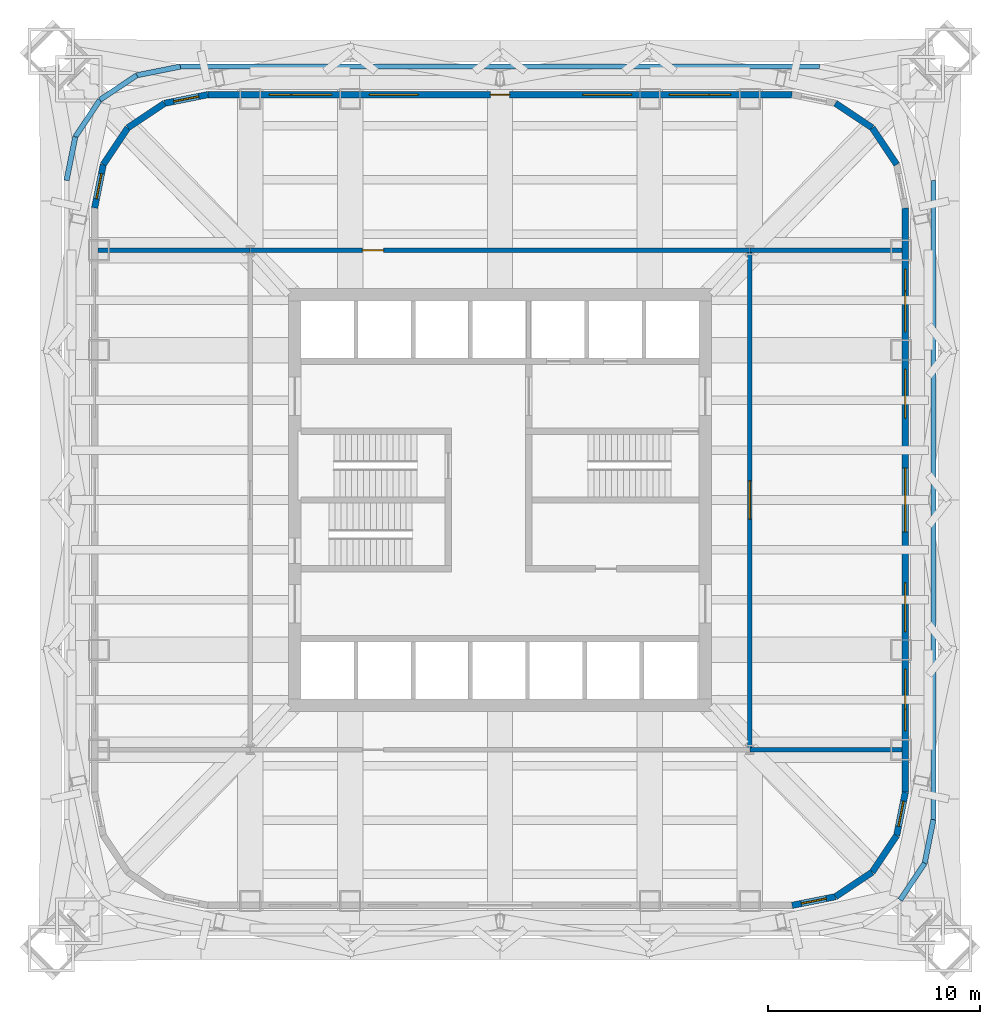
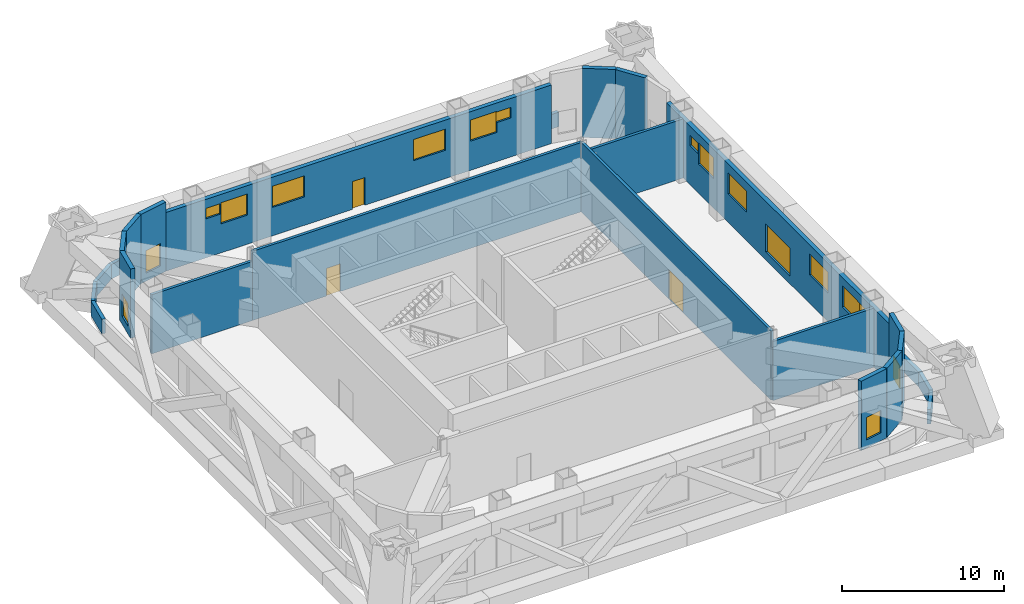
# One storey, part 6 of 9: 25 walls, 17 windows, 3 doors, 20 openings.
"""IFC4 building model written with IfcOpenShell, lengths in metres."""

from ifc_helpers import new_model, si_unit, direction, frame, frame_2d, origin, place, context, subcontext, project, spatial, rectangle, extrude, material, layer, layer_set, type_object, element, fill, save


model = new_model("IFC4")

# Units and contexts
model_context = context("Model", 3, precision=1e-05, world=origin(), true_north=direction((0.0, 1.0)))
body_context = subcontext(model_context, "Body", "Model", "MODEL_VIEW")
ifc_project = project(units=[si_unit("LENGTHUNIT", "METRE"), si_unit("AREAUNIT", "SQUARE_METRE"), si_unit("VOLUMEUNIT", "CUBIC_METRE"), si_unit("PLANEANGLEUNIT", "RADIAN"), si_unit("MASSUNIT", "GRAM", prefix="KILO")], contexts=[model_context])

# Site, building, storey
site_placement = place(None, origin())
site = spatial("IfcSite", under=ifc_project, at=site_placement, CompositionType="ELEMENT")
building_placement = place(site_placement, origin())
building = spatial("IfcBuilding", under=site, at=building_placement, Name="Turquesa Mirador Hotel Tower", CompositionType="ELEMENT")
storey_placement = place(building_placement, frame((0.0, 0.0, 156.39990234375)))
storey = spatial("IfcBuildingStorey", under=building, at=storey_placement, Name="L42", CompositionType="ELEMENT", Elevation=156.39990234375)

# Wall, opening, door
ifc_material_1 = material(Name="Fire-rated gypsum board on steel studs", Category="steel")
ifc_layer_1 = layer(ifc_material_1, 0.199951171875)
ifc_layer_set_1 = layer_set([ifc_layer_1], Name="CORRIDOR WALL 200")
wall_type_1 = type_object("IfcWallType", Name="CORRIDOR WALL 200", PredefinedType="PARTITIONING", material=ifc_layer_set_1)
wall_1_placement = place(storey_placement, frame((43.199951171875, 56.800048828125, 0.0), z_axis=(0.0, 0.0, 1.0), x_axis=(1.0, 0.0, 0.0)))
wall_1 = element("IfcWall", 1, at=wall_1_placement, inside=storey, type_object=wall_type_1, Name="Partition L42 004", PredefinedType="PARTITIONING", context=body_context, shape_type="SweptSolid", body=[
    extrude(rectangle(XDim=23.60009765625, YDim=0.199951171875, at=frame_2d((11.800048828125, 0.0))), origin(), (0.0, 0.0, 1.0), 5.22998046875),
])
opening_1_placement = place(wall_1_placement, frame((5.300048828125, 0.0, 0.0)))
opening_1 = element("IfcOpeningElement", 2, at=opening_1_placement, cuts=wall_1, Name="Opening D05", PredefinedType="OPENING", context=body_context, shape_type="SweptSolid", body=[
    extrude(rectangle(XDim=1.0, YDim=2.10009765625, at=frame_2d((0.5, 1.050048828125))), frame((0.0, 0.10986328125, 0.0), z_axis=(0.0, -1.0, 0.0), x_axis=(1.0, 0.0, 0.0)), (0.0, 0.0, 1.0), 0.219970703125),
])
ifc_material_2 = material(Name="Steel fire door", Category="steel")
door_type_1 = type_object("IfcDoorType", Name="DOOR 1000X2100 SERVICE", OperationType="SINGLE_SWING_LEFT", PredefinedType="DOOR", material=ifc_material_2)
door_1_placement = place(opening_1_placement, origin())
door_1 = element("IfcDoor", 3, at=door_1_placement, inside=storey, type_object=door_type_1, Name="Door L42-01", OperationType="SINGLE_SWING_LEFT", OverallHeight=2.10009765625, OverallWidth=1.0, PredefinedType="DOOR", context=body_context, shape_type="SweptSolid", body=[
    extrude(rectangle(XDim=1.0, YDim=2.10009765625, at=frame_2d((0.5, 1.050048828125))), frame((0.0, 0.02490234375, 0.0), z_axis=(0.0, -1.0, 0.0), x_axis=(1.0, 0.0, 0.0)), (0.0, 0.0, 1.0), 0.050048828125),
])
fill(opening_1, door_1)

wall_2_placement = place(storey_placement, frame((66.800048828125, 33.199951171875, 0.0), z_axis=(0.0, 0.0, 1.0), x_axis=(0.0, 1.0, 0.0)))
wall_2 = element("IfcWall", 4, at=wall_2_placement, inside=storey, type_object=wall_type_1, Name="Partition L42 008", PredefinedType="PARTITIONING", context=body_context, shape_type="SweptSolid", body=[
    extrude(rectangle(XDim=23.60009765625, YDim=0.199951171875, at=frame_2d((11.800048828125, 0.0))), origin(), (0.0, 0.0, 1.0), 5.22998046875),
])
opening_2_placement = place(wall_2_placement, frame((10.89990234375, 0.0, 0.0)))
opening_2 = element("IfcOpeningElement", 5, at=opening_2_placement, cuts=wall_2, Name="Opening D04", PredefinedType="OPENING", context=body_context, shape_type="SweptSolid", body=[
    extrude(rectangle(XDim=1.800048828125, YDim=2.199951171875, at=frame_2d((0.89990234375, 1.10009765625))), frame((0.0, 0.10986328125, 0.0), z_axis=(0.0, -1.0, 0.0), x_axis=(1.0, 0.0, 0.0)), (0.0, 0.0, 1.0), 0.219970703125),
])
ifc_material_3 = material(Name="Steel fire door pair", Category="steel")
door_type_2 = type_object("IfcDoorType", Name="DOOR 1800X2200 PAIR", OperationType="DOUBLE_DOOR_SINGLE_SWING", PredefinedType="DOOR", material=ifc_material_3)
door_2_placement = place(opening_2_placement, origin())
door_2 = element("IfcDoor", 6, at=door_2_placement, inside=storey, type_object=door_type_2, Name="Door L42-03", OperationType="DOUBLE_DOOR_SINGLE_SWING", OverallHeight=2.199951171875, OverallWidth=1.800048828125, PredefinedType="DOOR", context=body_context, shape_type="SweptSolid", body=[
    extrude(rectangle(XDim=1.800048828125, YDim=2.199951171875, at=frame_2d((0.89990234375, 1.10009765625))), frame((0.0, 0.02490234375, 0.0), z_axis=(0.0, -1.0, 0.0), x_axis=(1.0, 0.0, 0.0)), (0.0, 0.0, 1.0), 0.050048828125),
])
fill(opening_2, door_2)

# Walls
ifc_material_4 = material(Name="Fire-rated gypsum board on steel studs", Category="steel")
ifc_layer_2 = layer(ifc_material_4, 0.199951171875)
ifc_layer_set_2 = layer_set([ifc_layer_2], Name="FIRE PARTITION 200")
wall_type_2 = type_object("IfcWallType", Name="FIRE PARTITION 200", PredefinedType="PARTITIONING", material=ifc_layer_set_2)
for number, where, z_axis, x_axis, name in (
    (7, (66.800048828125, 33.199951171875, 0.0), (0.0, 0.0, 1.0), (1.0, 0.0, 0.0), "Partition L42 003"),
    (8, (36.0, 56.800048828125, 0.0), (0.0, 0.0, 1.0), (1.0, 0.0, 0.0), "Partition L42 005"),
    (9, (66.800048828125, 56.800048828125, 0.0), (0.0, 0.0, 1.0), (1.0, 0.0, 0.0), "Partition L42 006"),
):
    element("IfcWall", number, at=place(storey_placement, frame(where, z_axis=z_axis, x_axis=x_axis)), inside=storey, type_object=wall_type_2, Name=name, PredefinedType="PARTITIONING", context=body_context, shape_type="SweptSolid", body=[
        extrude(rectangle(XDim=7.199951171875, YDim=0.199951171875, at=frame_2d((3.60009765625, 0.0))), origin(), (0.0, 0.0, 1.0), 4.47314453125),
    ])

# Wall, opening, window
ifc_material_5 = material(Name="Limestone cladding on concrete block", Category="masonry")
ifc_layer_3 = layer(ifc_material_5, 0.300048828125)
ifc_layer_set_3 = layer_set([ifc_layer_3], Name="LOUVRE WALL 300 STONE")
wall_type_3 = type_object("IfcWallType", Name="LOUVRE WALL 300 STONE", PredefinedType="SOLIDWALL", material=ifc_layer_set_3)
wall_3_placement = place(storey_placement, frame((68.800048828125, 25.85009765625, 0.0), z_axis=(0.0, 0.0, 1.0), x_axis=(0.980787050784, 0.195081421501, 0.0)))
wall_3 = element("IfcWall", 10, at=wall_3_placement, inside=storey, type_object=wall_type_3, Name="Facade wall L42 00", PredefinedType="SOLIDWALL", context=body_context, shape_type="SweptSolid", body=[
    extrude(rectangle(XDim=2.08740234375, YDim=0.300048828125, at=frame_2d((1.043701171875, 0.0))), origin(), (0.0, 0.0, 1.0), 5.22998046875),
])
opening_3_placement = place(wall_3_placement, frame((0.443603515625, 0.0, 0.60009765625)))
opening_3 = element("IfcOpeningElement", 11, at=opening_3_placement, cuts=wall_3, Name="Opening LV8", PredefinedType="OPENING", context=body_context, shape_type="SweptSolid", body=[
    extrude(rectangle(XDim=1.199951171875, YDim=1.699951171875, at=frame_2d((0.60009765625, 0.85009765625))), frame((0.0, 0.159912109375, 0.0), z_axis=(0.0, -1.0, 0.0), x_axis=(1.0, 0.0, 0.0)), (0.0, 0.0, 1.0), 0.320068359375),
])
ifc_material_6 = material(Name="Aluminium extrusion", Category="aluminium")
window_type_1 = type_object("IfcWindowType", Name="PLANT LOUVRE 1200X1700", PartitioningType="SINGLE_PANEL", PredefinedType="USERDEFINED", material=ifc_material_6)
window_1_placement = place(opening_3_placement, origin())
window_1 = element("IfcWindow", 12, at=window_1_placement, inside=storey, type_object=window_type_1, Name="Window L42", ObjectType="LOUVRE", OverallHeight=1.699951171875, OverallWidth=1.199951171875, PartitioningType="SINGLE_PANEL", PredefinedType="USERDEFINED", context=body_context, shape_type="SweptSolid", body=[
    extrude(rectangle(XDim=1.199951171875, YDim=1.699951171875, at=frame_2d((0.60009765625, 0.85009765625))), frame((0.0, 0.030029296875, 0.0), z_axis=(0.0, -1.0, 0.0), x_axis=(1.0, 0.0, 0.0)), (0.0, 0.0, 1.0), 0.06005859375),
])
fill(opening_3, window_1)

# Walls
for number, where, z_axis, x_axis, name in (
    (13, (70.847412109375, 26.25732421875, 0.0), (0.0, 0.0, 1.0), (0.831474039234, 0.555563607591, 0.0), "Facade wall L42 01"),
    (14, (72.5830078125, 27.4169921875, 0.0), (0.0, 0.0, 1.0), (0.555563607591, 0.831474039234, 0.0), "Facade wall L42 02"),
):
    element("IfcWall", number, at=place(storey_placement, frame(where, z_axis=z_axis, x_axis=x_axis)), inside=storey, type_object=wall_type_3, Name=name, PredefinedType="SOLIDWALL", context=body_context, shape_type="SweptSolid", body=[
        extrude(rectangle(XDim=2.08740234375, YDim=0.300048828125, at=frame_2d((1.043701171875, 0.0))), origin(), (0.0, 0.0, 1.0), 5.22998046875),
    ])

# Wall, opening, window
wall_4_placement = place(storey_placement, frame((73.74267578125, 29.152587890625, 0.0), z_axis=(0.0, 0.0, 1.0), x_axis=(0.195081421501, 0.980787050784, 0.0)))
wall_4 = element("IfcWall", 15, at=wall_4_placement, inside=storey, type_object=wall_type_3, Name="Facade wall L42 03", PredefinedType="SOLIDWALL", context=body_context, shape_type="SweptSolid", body=[
    extrude(rectangle(XDim=2.08740234375, YDim=0.300048828125, at=frame_2d((1.043701171875, 0.0))), origin(), (0.0, 0.0, 1.0), 5.22998046875),
])
opening_4_placement = place(wall_4_placement, frame((0.443603515625, 0.0, 0.60009765625)))
opening_4 = element("IfcOpeningElement", 16, at=opening_4_placement, cuts=wall_4, Name="Opening LV8", PredefinedType="OPENING", context=body_context, shape_type="SweptSolid", body=[
    extrude(rectangle(XDim=1.199951171875, YDim=1.699951171875, at=frame_2d((0.60009765625, 0.85009765625))), frame((0.0, 0.159912109375, 0.0), z_axis=(0.0, -1.0, 0.0), x_axis=(1.0, 0.0, 0.0)), (0.0, 0.0, 1.0), 0.320068359375),
])
window_2_placement = place(opening_4_placement, origin())
window_2 = element("IfcWindow", 17, at=window_2_placement, inside=storey, type_object=window_type_1, Name="Window L42", ObjectType="LOUVRE", OverallHeight=1.699951171875, OverallWidth=1.199951171875, PartitioningType="SINGLE_PANEL", PredefinedType="USERDEFINED", context=body_context, shape_type="SweptSolid", body=[
    extrude(rectangle(XDim=1.199951171875, YDim=1.699951171875, at=frame_2d((0.60009765625, 0.85009765625))), frame((0.0, 0.030029296875, 0.0), z_axis=(0.0, -1.0, 0.0), x_axis=(1.0, 0.0, 0.0)), (0.0, 0.0, 1.0), 0.06005859375),
])
fill(opening_4, window_2)

# Wall, openings, windows
wall_5_placement = place(storey_placement, frame((74.14990234375, 31.199951171875, 0.0), z_axis=(0.0, 0.0, 1.0), x_axis=(0.0, 1.0, 0.0)))
wall_5 = element("IfcWall", 18, at=wall_5_placement, inside=storey, type_object=wall_type_3, Name="Facade wall L42 04", PredefinedType="SOLIDWALL", context=body_context, shape_type="SweptSolid", body=[
    extrude(rectangle(XDim=27.60009765625, YDim=0.300048828125, at=frame_2d((13.800048828125, 0.0))), origin(), (0.0, 0.0, 1.0), 4.43017578125),
])
opening_5_placement = place(wall_5_placement, frame((3.909912109375, 0.0, 2.199951171875)))
opening_5 = element("IfcOpeningElement", 19, at=opening_5_placement, cuts=wall_5, Name="Opening LV11", PredefinedType="OPENING", context=body_context, shape_type="SweptSolid", body=[
    extrude(rectangle(XDim=1.89990234375, YDim=1.60009765625, at=frame_2d((0.949951171875, 0.800048828125))), frame((0.0, 0.159912109375, 0.0), z_axis=(0.0, -1.0, 0.0), x_axis=(1.0, 0.0, 0.0)), (0.0, 0.0, 1.0), 0.320068359375),
])
opening_6_placement = place(wall_5_placement, frame((7.580078125, 0.0, 2.14990234375)))
opening_6 = element("IfcOpeningElement", 20, at=opening_6_placement, cuts=wall_5, Name="Opening LV13", PredefinedType="OPENING", context=body_context, shape_type="SweptSolid", body=[
    extrude(rectangle(XDim=2.300048828125, YDim=1.60009765625, at=frame_2d((1.14990234375, 0.800048828125))), frame((0.0, 0.159912109375, 0.0), z_axis=(0.0, -1.0, 0.0), x_axis=(1.0, 0.0, 0.0)), (0.0, 0.0, 1.0), 0.320068359375),
])
opening_7_placement = place(wall_5_placement, frame((12.300048828125, 0.0, 0.60009765625)))
opening_7 = element("IfcOpeningElement", 21, at=opening_7_placement, cuts=wall_5, Name="Opening LV17", PredefinedType="OPENING", context=body_context, shape_type="SweptSolid", body=[
    extrude(rectangle(XDim=3.0, YDim=2.10009765625, at=frame_2d((1.5, 1.050048828125))), frame((0.0, 0.159912109375, 0.0), z_axis=(0.0, -1.0, 0.0), x_axis=(1.0, 0.0, 0.0)), (0.0, 0.0, 1.0), 0.320068359375),
])
opening_8_placement = place(wall_5_placement, frame((17.669921875, 0.0, 2.14990234375)))
opening_8 = element("IfcOpeningElement", 22, at=opening_8_placement, cuts=wall_5, Name="Opening LV13", PredefinedType="OPENING", context=body_context, shape_type="SweptSolid", body=[
    extrude(rectangle(XDim=2.300048828125, YDim=1.60009765625, at=frame_2d((1.14990234375, 0.800048828125))), frame((0.0, 0.159912109375, 0.0), z_axis=(0.0, -1.0, 0.0), x_axis=(1.0, 0.0, 0.0)), (0.0, 0.0, 1.0), 0.320068359375),
])
opening_9_placement = place(wall_5_placement, frame((21.739990234375, 0.0, 2.199951171875)))
opening_9 = element("IfcOpeningElement", 23, at=opening_9_placement, cuts=wall_5, Name="Opening LV11", PredefinedType="OPENING", context=body_context, shape_type="SweptSolid", body=[
    extrude(rectangle(XDim=1.89990234375, YDim=1.60009765625, at=frame_2d((0.949951171875, 0.800048828125))), frame((0.0, 0.159912109375, 0.0), z_axis=(0.0, -1.0, 0.0), x_axis=(1.0, 0.0, 0.0)), (0.0, 0.0, 1.0), 0.320068359375),
])
opening_10_placement = place(wall_5_placement, frame((2.909912109375, 0.0, 2.949951171875)))
opening_10 = element("IfcOpeningElement", 24, at=opening_10_placement, cuts=wall_5, Name="Opening LV4", PredefinedType="OPENING", context=body_context, shape_type="SweptSolid", body=[
    extrude(rectangle(XDim=1.0, YDim=0.800048828125, at=frame_2d((0.5, 0.39990234375))), frame((0.0, 0.159912109375, 0.0), z_axis=(0.0, -1.0, 0.0), x_axis=(1.0, 0.0, 0.0)), (0.0, 0.0, 1.0), 0.320068359375),
])
opening_11_placement = place(wall_5_placement, frame((23.68994140625, 0.0, 2.949951171875)))
opening_11 = element("IfcOpeningElement", 25, at=opening_11_placement, cuts=wall_5, Name="Opening LV4", PredefinedType="OPENING", context=body_context, shape_type="SweptSolid", body=[
    extrude(rectangle(XDim=1.0, YDim=0.800048828125, at=frame_2d((0.5, 0.39990234375))), frame((0.0, 0.159912109375, 0.0), z_axis=(0.0, -1.0, 0.0), x_axis=(1.0, 0.0, 0.0)), (0.0, 0.0, 1.0), 0.320068359375),
])
ifc_material_7 = material(Name="Aluminium extrusion", Category="aluminium")
window_type_2 = type_object("IfcWindowType", Name="PLANT LOUVRE 1000X800", PartitioningType="SINGLE_PANEL", PredefinedType="USERDEFINED", material=ifc_material_7)
window_3_placement = place(opening_10_placement, origin())
window_3 = element("IfcWindow", 26, at=window_3_placement, inside=storey, type_object=window_type_2, Name="Window L42", ObjectType="LOUVRE", OverallHeight=0.800048828125, OverallWidth=1.0, PartitioningType="SINGLE_PANEL", PredefinedType="USERDEFINED", context=body_context, shape_type="SweptSolid", body=[
    extrude(rectangle(XDim=1.0, YDim=0.800048828125, at=frame_2d((0.5, 0.39990234375))), frame((0.0, 0.030029296875, 0.0), z_axis=(0.0, -1.0, 0.0), x_axis=(1.0, 0.0, 0.0)), (0.0, 0.0, 1.0), 0.06005859375),
])
fill(opening_10, window_3)
window_4_placement = place(opening_11_placement, origin())
window_4 = element("IfcWindow", 27, at=window_4_placement, inside=storey, type_object=window_type_2, Name="Window L42", ObjectType="LOUVRE", OverallHeight=0.800048828125, OverallWidth=1.0, PartitioningType="SINGLE_PANEL", PredefinedType="USERDEFINED", context=body_context, shape_type="SweptSolid", body=[
    extrude(rectangle(XDim=1.0, YDim=0.800048828125, at=frame_2d((0.5, 0.39990234375))), frame((0.0, 0.030029296875, 0.0), z_axis=(0.0, -1.0, 0.0), x_axis=(1.0, 0.0, 0.0)), (0.0, 0.0, 1.0), 0.06005859375),
])
fill(opening_11, window_4)
ifc_material_8 = material(Name="Aluminium extrusion", Category="aluminium")
window_type_3 = type_object("IfcWindowType", Name="PLANT LOUVRE 1900X1600", PartitioningType="SINGLE_PANEL", PredefinedType="USERDEFINED", material=ifc_material_8)
window_5_placement = place(opening_5_placement, origin())
window_5 = element("IfcWindow", 28, at=window_5_placement, inside=storey, type_object=window_type_3, Name="Window L42", ObjectType="LOUVRE", OverallHeight=1.60009765625, OverallWidth=1.89990234375, PartitioningType="SINGLE_PANEL", PredefinedType="USERDEFINED", context=body_context, shape_type="SweptSolid", body=[
    extrude(rectangle(XDim=1.89990234375, YDim=1.60009765625, at=frame_2d((0.949951171875, 0.800048828125))), frame((0.0, 0.030029296875, 0.0), z_axis=(0.0, -1.0, 0.0), x_axis=(1.0, 0.0, 0.0)), (0.0, 0.0, 1.0), 0.06005859375),
])
fill(opening_5, window_5)
window_6_placement = place(opening_9_placement, origin())
window_6 = element("IfcWindow", 29, at=window_6_placement, inside=storey, type_object=window_type_3, Name="Window L42", ObjectType="LOUVRE", OverallHeight=1.60009765625, OverallWidth=1.89990234375, PartitioningType="SINGLE_PANEL", PredefinedType="USERDEFINED", context=body_context, shape_type="SweptSolid", body=[
    extrude(rectangle(XDim=1.89990234375, YDim=1.60009765625, at=frame_2d((0.949951171875, 0.800048828125))), frame((0.0, 0.030029296875, 0.0), z_axis=(0.0, -1.0, 0.0), x_axis=(1.0, 0.0, 0.0)), (0.0, 0.0, 1.0), 0.06005859375),
])
fill(opening_9, window_6)
ifc_material_9 = material(Name="Aluminium extrusion", Category="aluminium")
window_type_4 = type_object("IfcWindowType", Name="PLANT LOUVRE 2300X1600", PartitioningType="SINGLE_PANEL", PredefinedType="USERDEFINED", material=ifc_material_9)
window_7_placement = place(opening_6_placement, origin())
window_7 = element("IfcWindow", 30, at=window_7_placement, inside=storey, type_object=window_type_4, Name="Window L42", ObjectType="LOUVRE", OverallHeight=1.60009765625, OverallWidth=2.300048828125, PartitioningType="SINGLE_PANEL", PredefinedType="USERDEFINED", context=body_context, shape_type="SweptSolid", body=[
    extrude(rectangle(XDim=2.300048828125, YDim=1.60009765625, at=frame_2d((1.14990234375, 0.800048828125))), frame((0.0, 0.030029296875, 0.0), z_axis=(0.0, -1.0, 0.0), x_axis=(1.0, 0.0, 0.0)), (0.0, 0.0, 1.0), 0.06005859375),
])
fill(opening_6, window_7)
window_8_placement = place(opening_8_placement, origin())
window_8 = element("IfcWindow", 31, at=window_8_placement, inside=storey, type_object=window_type_4, Name="Window L42", ObjectType="LOUVRE", OverallHeight=1.60009765625, OverallWidth=2.300048828125, PartitioningType="SINGLE_PANEL", PredefinedType="USERDEFINED", context=body_context, shape_type="SweptSolid", body=[
    extrude(rectangle(XDim=2.300048828125, YDim=1.60009765625, at=frame_2d((1.14990234375, 0.800048828125))), frame((0.0, 0.030029296875, 0.0), z_axis=(0.0, -1.0, 0.0), x_axis=(1.0, 0.0, 0.0)), (0.0, 0.0, 1.0), 0.06005859375),
])
fill(opening_8, window_8)
ifc_material_10 = material(Name="Aluminium extrusion", Category="aluminium")
window_type_5 = type_object("IfcWindowType", Name="PLANT LOUVRE 3000X2100", PartitioningType="SINGLE_PANEL", PredefinedType="USERDEFINED", material=ifc_material_10)
window_9_placement = place(opening_7_placement, origin())
window_9 = element("IfcWindow", 32, at=window_9_placement, inside=storey, type_object=window_type_5, Name="Window L42", ObjectType="LOUVRE", OverallHeight=2.10009765625, OverallWidth=3.0, PartitioningType="SINGLE_PANEL", PredefinedType="USERDEFINED", context=body_context, shape_type="SweptSolid", body=[
    extrude(rectangle(XDim=3.0, YDim=2.10009765625, at=frame_2d((1.5, 1.050048828125))), frame((0.0, 0.030029296875, 0.0), z_axis=(0.0, -1.0, 0.0), x_axis=(1.0, 0.0, 0.0)), (0.0, 0.0, 1.0), 0.06005859375),
])
fill(opening_7, window_9)

# Walls
for number, where, z_axis, x_axis, name in (
    (33, (73.74267578125, 60.847412109375, 0.0), (0.0, 0.0, 1.0), (-0.555563607591, 0.831474039234, 0.0), "Facade wall L42 06"),
    (34, (72.5830078125, 62.5830078125, 0.0), (0.0, 0.0, 1.0), (-0.831474039234, 0.555563607591, 0.0), "Facade wall L42 07"),
):
    element("IfcWall", number, at=place(storey_placement, frame(where, z_axis=z_axis, x_axis=x_axis)), inside=storey, type_object=wall_type_3, Name=name, PredefinedType="SOLIDWALL", context=body_context, shape_type="SweptSolid", body=[
        extrude(rectangle(XDim=2.08740234375, YDim=0.300048828125, at=frame_2d((1.043701171875, 0.0))), origin(), (0.0, 0.0, 1.0), 5.22998046875),
    ])

# Wall, openings, windows, door
wall_6_placement = place(storey_placement, frame((68.800048828125, 64.14990234375, 0.0), z_axis=(0.0, 0.0, 1.0), x_axis=(-1.0, 0.0, 0.0)))
wall_6 = element("IfcWall", 35, at=wall_6_placement, inside=storey, type_object=wall_type_3, Name="Facade wall L42 09", PredefinedType="SOLIDWALL", context=body_context, shape_type="SweptSolid", body=[
    extrude(rectangle(XDim=27.60009765625, YDim=0.300048828125, at=frame_2d((13.800048828125, 0.0))), origin(), (0.0, 0.0, 1.0), 4.43017578125),
])
opening_12_placement = place(wall_6_placement, frame((3.909912109375, 0.0, 2.199951171875)))
opening_12 = element("IfcOpeningElement", 36, at=opening_12_placement, cuts=wall_6, Name="Opening LV11", PredefinedType="OPENING", context=body_context, shape_type="SweptSolid", body=[
    extrude(rectangle(XDim=1.89990234375, YDim=1.60009765625, at=frame_2d((0.949951171875, 0.800048828125))), frame((0.0, 0.159912109375, 0.0), z_axis=(0.0, -1.0, 0.0), x_axis=(1.0, 0.0, 0.0)), (0.0, 0.0, 1.0), 0.320068359375),
])
opening_13_placement = place(wall_6_placement, frame((7.580078125, 0.0, 2.14990234375)))
opening_13 = element("IfcOpeningElement", 37, at=opening_13_placement, cuts=wall_6, Name="Opening LV13", PredefinedType="OPENING", context=body_context, shape_type="SweptSolid", body=[
    extrude(rectangle(XDim=2.300048828125, YDim=1.60009765625, at=frame_2d((1.14990234375, 0.800048828125))), frame((0.0, 0.159912109375, 0.0), z_axis=(0.0, -1.0, 0.0), x_axis=(1.0, 0.0, 0.0)), (0.0, 0.0, 1.0), 0.320068359375),
])
opening_14_placement = place(wall_6_placement, frame((13.35009765625, 0.0, 0.0)))
opening_14 = element("IfcOpeningElement", 38, at=opening_14_placement, cuts=wall_6, Name="Opening D21", PredefinedType="OPENING", context=body_context, shape_type="SweptSolid", body=[
    extrude(rectangle(XDim=0.89990234375, YDim=2.10009765625, at=frame_2d((0.449951171875, 1.050048828125))), frame((0.0, 0.159912109375, 0.0), z_axis=(0.0, -1.0, 0.0), x_axis=(1.0, 0.0, 0.0)), (0.0, 0.0, 1.0), 0.320068359375),
])
opening_15_placement = place(wall_6_placement, frame((17.669921875, 0.0, 2.14990234375)))
opening_15 = element("IfcOpeningElement", 39, at=opening_15_placement, cuts=wall_6, Name="Opening LV13", PredefinedType="OPENING", context=body_context, shape_type="SweptSolid", body=[
    extrude(rectangle(XDim=2.300048828125, YDim=1.60009765625, at=frame_2d((1.14990234375, 0.800048828125))), frame((0.0, 0.159912109375, 0.0), z_axis=(0.0, -1.0, 0.0), x_axis=(1.0, 0.0, 0.0)), (0.0, 0.0, 1.0), 0.320068359375),
])
opening_16_placement = place(wall_6_placement, frame((21.739990234375, 0.0, 2.199951171875)))
opening_16 = element("IfcOpeningElement", 40, at=opening_16_placement, cuts=wall_6, Name="Opening LV11", PredefinedType="OPENING", context=body_context, shape_type="SweptSolid", body=[
    extrude(rectangle(XDim=1.89990234375, YDim=1.60009765625, at=frame_2d((0.949951171875, 0.800048828125))), frame((0.0, 0.159912109375, 0.0), z_axis=(0.0, -1.0, 0.0), x_axis=(1.0, 0.0, 0.0)), (0.0, 0.0, 1.0), 0.320068359375),
])
opening_17_placement = place(wall_6_placement, frame((2.909912109375, 0.0, 2.949951171875)))
opening_17 = element("IfcOpeningElement", 41, at=opening_17_placement, cuts=wall_6, Name="Opening LV4", PredefinedType="OPENING", context=body_context, shape_type="SweptSolid", body=[
    extrude(rectangle(XDim=1.0, YDim=0.800048828125, at=frame_2d((0.5, 0.39990234375))), frame((0.0, 0.159912109375, 0.0), z_axis=(0.0, -1.0, 0.0), x_axis=(1.0, 0.0, 0.0)), (0.0, 0.0, 1.0), 0.320068359375),
])
opening_18_placement = place(wall_6_placement, frame((23.68994140625, 0.0, 2.949951171875)))
opening_18 = element("IfcOpeningElement", 42, at=opening_18_placement, cuts=wall_6, Name="Opening LV4", PredefinedType="OPENING", context=body_context, shape_type="SweptSolid", body=[
    extrude(rectangle(XDim=1.0, YDim=0.800048828125, at=frame_2d((0.5, 0.39990234375))), frame((0.0, 0.159912109375, 0.0), z_axis=(0.0, -1.0, 0.0), x_axis=(1.0, 0.0, 0.0)), (0.0, 0.0, 1.0), 0.320068359375),
])
window_10_placement = place(opening_17_placement, origin())
window_10 = element("IfcWindow", 43, at=window_10_placement, inside=storey, type_object=window_type_2, Name="Window L42", ObjectType="LOUVRE", OverallHeight=0.800048828125, OverallWidth=1.0, PartitioningType="SINGLE_PANEL", PredefinedType="USERDEFINED", context=body_context, shape_type="SweptSolid", body=[
    extrude(rectangle(XDim=1.0, YDim=0.800048828125, at=frame_2d((0.5, 0.39990234375))), frame((0.0, 0.030029296875, 0.0), z_axis=(0.0, -1.0, 0.0), x_axis=(1.0, 0.0, 0.0)), (0.0, 0.0, 1.0), 0.06005859375),
])
fill(opening_17, window_10)
window_11_placement = place(opening_18_placement, origin())
window_11 = element("IfcWindow", 44, at=window_11_placement, inside=storey, type_object=window_type_2, Name="Window L42", ObjectType="LOUVRE", OverallHeight=0.800048828125, OverallWidth=1.0, PartitioningType="SINGLE_PANEL", PredefinedType="USERDEFINED", context=body_context, shape_type="SweptSolid", body=[
    extrude(rectangle(XDim=1.0, YDim=0.800048828125, at=frame_2d((0.5, 0.39990234375))), frame((0.0, 0.030029296875, 0.0), z_axis=(0.0, -1.0, 0.0), x_axis=(1.0, 0.0, 0.0)), (0.0, 0.0, 1.0), 0.06005859375),
])
fill(opening_18, window_11)
window_12_placement = place(opening_12_placement, origin())
window_12 = element("IfcWindow", 45, at=window_12_placement, inside=storey, type_object=window_type_3, Name="Window L42", ObjectType="LOUVRE", OverallHeight=1.60009765625, OverallWidth=1.89990234375, PartitioningType="SINGLE_PANEL", PredefinedType="USERDEFINED", context=body_context, shape_type="SweptSolid", body=[
    extrude(rectangle(XDim=1.89990234375, YDim=1.60009765625, at=frame_2d((0.949951171875, 0.800048828125))), frame((0.0, 0.030029296875, 0.0), z_axis=(0.0, -1.0, 0.0), x_axis=(1.0, 0.0, 0.0)), (0.0, 0.0, 1.0), 0.06005859375),
])
fill(opening_12, window_12)
window_13_placement = place(opening_16_placement, origin())
window_13 = element("IfcWindow", 46, at=window_13_placement, inside=storey, type_object=window_type_3, Name="Window L42", ObjectType="LOUVRE", OverallHeight=1.60009765625, OverallWidth=1.89990234375, PartitioningType="SINGLE_PANEL", PredefinedType="USERDEFINED", context=body_context, shape_type="SweptSolid", body=[
    extrude(rectangle(XDim=1.89990234375, YDim=1.60009765625, at=frame_2d((0.949951171875, 0.800048828125))), frame((0.0, 0.030029296875, 0.0), z_axis=(0.0, -1.0, 0.0), x_axis=(1.0, 0.0, 0.0)), (0.0, 0.0, 1.0), 0.06005859375),
])
fill(opening_16, window_13)
window_14_placement = place(opening_13_placement, origin())
window_14 = element("IfcWindow", 47, at=window_14_placement, inside=storey, type_object=window_type_4, Name="Window L42", ObjectType="LOUVRE", OverallHeight=1.60009765625, OverallWidth=2.300048828125, PartitioningType="SINGLE_PANEL", PredefinedType="USERDEFINED", context=body_context, shape_type="SweptSolid", body=[
    extrude(rectangle(XDim=2.300048828125, YDim=1.60009765625, at=frame_2d((1.14990234375, 0.800048828125))), frame((0.0, 0.030029296875, 0.0), z_axis=(0.0, -1.0, 0.0), x_axis=(1.0, 0.0, 0.0)), (0.0, 0.0, 1.0), 0.06005859375),
])
fill(opening_13, window_14)
window_15_placement = place(opening_15_placement, origin())
window_15 = element("IfcWindow", 48, at=window_15_placement, inside=storey, type_object=window_type_4, Name="Window L42", ObjectType="LOUVRE", OverallHeight=1.60009765625, OverallWidth=2.300048828125, PartitioningType="SINGLE_PANEL", PredefinedType="USERDEFINED", context=body_context, shape_type="SweptSolid", body=[
    extrude(rectangle(XDim=2.300048828125, YDim=1.60009765625, at=frame_2d((1.14990234375, 0.800048828125))), frame((0.0, 0.030029296875, 0.0), z_axis=(0.0, -1.0, 0.0), x_axis=(1.0, 0.0, 0.0)), (0.0, 0.0, 1.0), 0.06005859375),
])
fill(opening_15, window_15)
ifc_material_11 = material(Name="Galvanised steel door, weather-stripped", Category="steel")
door_type_3 = type_object("IfcDoorType", Name="ROOF ACCESS DOOR 900X2100 MAINTENANCE ONLY", OperationType="SINGLE_SWING_LEFT", PredefinedType="DOOR", material=ifc_material_11)
door_3_placement = place(opening_14_placement, origin())
door_3 = element("IfcDoor", 49, at=door_3_placement, inside=storey, type_object=door_type_3, Name="Roof access door (maintenance only) L42", OperationType="SINGLE_SWING_LEFT", OverallHeight=2.10009765625, OverallWidth=0.89990234375, PredefinedType="DOOR", context=body_context, shape_type="SweptSolid", body=[
    extrude(rectangle(XDim=0.89990234375, YDim=2.10009765625, at=frame_2d((0.449951171875, 1.050048828125))), frame((0.0, 0.02490234375, 0.0), z_axis=(0.0, -1.0, 0.0), x_axis=(1.0, 0.0, 0.0)), (0.0, 0.0, 1.0), 0.050048828125),
])
fill(opening_14, door_3)

# Wall, opening, window
wall_7_placement = place(storey_placement, frame((41.199951171875, 64.14990234375, 0.0), z_axis=(0.0, 0.0, 1.0), x_axis=(-0.980787050784, -0.195081421501, 0.0)))
wall_7 = element("IfcWall", 50, at=wall_7_placement, inside=storey, type_object=wall_type_3, Name="Facade wall L42 10", PredefinedType="SOLIDWALL", context=body_context, shape_type="SweptSolid", body=[
    extrude(rectangle(XDim=2.08740234375, YDim=0.300048828125, at=frame_2d((1.043701171875, 0.0))), origin(), (0.0, 0.0, 1.0), 5.22998046875),
])
opening_19_placement = place(wall_7_placement, frame((0.443603515625, 0.0, 0.60009765625)))
opening_19 = element("IfcOpeningElement", 51, at=opening_19_placement, cuts=wall_7, Name="Opening LV8", PredefinedType="OPENING", context=body_context, shape_type="SweptSolid", body=[
    extrude(rectangle(XDim=1.199951171875, YDim=1.699951171875, at=frame_2d((0.60009765625, 0.85009765625))), frame((0.0, 0.159912109375, 0.0), z_axis=(0.0, -1.0, 0.0), x_axis=(1.0, 0.0, 0.0)), (0.0, 0.0, 1.0), 0.320068359375),
])
window_16_placement = place(opening_19_placement, origin())
window_16 = element("IfcWindow", 52, at=window_16_placement, inside=storey, type_object=window_type_1, Name="Window L42", ObjectType="LOUVRE", OverallHeight=1.699951171875, OverallWidth=1.199951171875, PartitioningType="SINGLE_PANEL", PredefinedType="USERDEFINED", context=body_context, shape_type="SweptSolid", body=[
    extrude(rectangle(XDim=1.199951171875, YDim=1.699951171875, at=frame_2d((0.60009765625, 0.85009765625))), frame((0.0, 0.030029296875, 0.0), z_axis=(0.0, -1.0, 0.0), x_axis=(1.0, 0.0, 0.0)), (0.0, 0.0, 1.0), 0.06005859375),
])
fill(opening_19, window_16)

# Walls
for number, where, z_axis, x_axis, name in (
    (53, (39.152587890625, 63.74267578125, 0.0), (0.0, 0.0, 1.0), (-0.831474039234, -0.555563607591, 0.0), "Facade wall L42 11"),
    (54, (37.4169921875, 62.5830078125, 0.0), (0.0, 0.0, 1.0), (-0.555563607591, -0.831474039234, 0.0), "Facade wall L42 12"),
):
    element("IfcWall", number, at=place(storey_placement, frame(where, z_axis=z_axis, x_axis=x_axis)), inside=storey, type_object=wall_type_3, Name=name, PredefinedType="SOLIDWALL", context=body_context, shape_type="SweptSolid", body=[
        extrude(rectangle(XDim=2.08740234375, YDim=0.300048828125, at=frame_2d((1.043701171875, 0.0))), origin(), (0.0, 0.0, 1.0), 5.22998046875),
    ])

# Wall, opening, window
wall_8_placement = place(storey_placement, frame((36.25732421875, 60.847412109375, 0.0), z_axis=(0.0, 0.0, 1.0), x_axis=(-0.195081421501, -0.980787050784, 0.0)))
wall_8 = element("IfcWall", 55, at=wall_8_placement, inside=storey, type_object=wall_type_3, Name="Facade wall L42 13", PredefinedType="SOLIDWALL", context=body_context, shape_type="SweptSolid", body=[
    extrude(rectangle(XDim=2.08740234375, YDim=0.300048828125, at=frame_2d((1.043701171875, 0.0))), origin(), (0.0, 0.0, 1.0), 5.22998046875),
])
opening_20_placement = place(wall_8_placement, frame((0.443603515625, 0.0, 0.60009765625)))
opening_20 = element("IfcOpeningElement", 56, at=opening_20_placement, cuts=wall_8, Name="Opening LV8", PredefinedType="OPENING", context=body_context, shape_type="SweptSolid", body=[
    extrude(rectangle(XDim=1.199951171875, YDim=1.699951171875, at=frame_2d((0.60009765625, 0.85009765625))), frame((0.0, 0.159912109375, 0.0), z_axis=(0.0, -1.0, 0.0), x_axis=(1.0, 0.0, 0.0)), (0.0, 0.0, 1.0), 0.320068359375),
])
window_17_placement = place(opening_20_placement, origin())
window_17 = element("IfcWindow", 57, at=window_17_placement, inside=storey, type_object=window_type_1, Name="Window L42", ObjectType="LOUVRE", OverallHeight=1.699951171875, OverallWidth=1.199951171875, PartitioningType="SINGLE_PANEL", PredefinedType="USERDEFINED", context=body_context, shape_type="SweptSolid", body=[
    extrude(rectangle(XDim=1.199951171875, YDim=1.699951171875, at=frame_2d((0.60009765625, 0.85009765625))), frame((0.0, 0.030029296875, 0.0), z_axis=(0.0, -1.0, 0.0), x_axis=(1.0, 0.0, 0.0)), (0.0, 0.0, 1.0), 0.06005859375),
])
fill(opening_20, window_17)

# Walls
ifc_material_12 = material(Name="Limestone cladding on concrete block", Category="masonry")
ifc_layer_4 = layer(ifc_material_12, 0.25)
ifc_layer_set_4 = layer_set([ifc_layer_4], Name="PARAPET 250 STONE")
wall_type_4 = type_object("IfcWallType", Name="PARAPET 250 STONE", PredefinedType="PARAPET", material=ifc_layer_set_4)
for number, where, z_axis, x_axis, name in (
    (58, (73.900634765625, 26.099365234375, 0.0), (0.0, 0.0, 1.0), (0.555640102334, 0.831422922873, 0.0), "Maintenance roof parapet L42"),
    (59, (75.06591796875, 27.843017578125, 0.0), (0.0, 0.0, 1.0), (0.195108609271, 0.980781642665, 0.0), "Maintenance roof parapet L42"),
):
    element("IfcWall", number, at=place(storey_placement, frame(where, z_axis=z_axis, x_axis=x_axis)), inside=storey, type_object=wall_type_4, Name=name, PredefinedType="PARAPET", context=body_context, shape_type="SweptSolid", body=[
        extrude(rectangle(XDim=2.09716796875, YDim=0.25, at=frame_2d((1.048583984375, 0.0))), origin(), (0.0, 0.0, 1.0), 1.10009765625),
    ])
for number, where, z_axis, x_axis, name in (
    (60, (75.47509765625, 29.89990234375, 0.0), (0.0, 0.0, 1.0), (0.0, 1.0, 0.0), "Maintenance roof parapet L42"),
    (61, (70.10009765625, 65.47509765625, 0.0), (0.0, 0.0, 1.0), (-1.0, 0.0, 0.0), "Maintenance roof parapet L42"),
):
    element("IfcWall", number, at=place(storey_placement, frame(where, z_axis=z_axis, x_axis=x_axis)), inside=storey, type_object=wall_type_4, Name=name, PredefinedType="PARAPET", context=body_context, shape_type="SweptSolid", body=[
        extrude(rectangle(XDim=30.2001953125, YDim=0.25, at=frame_2d((15.10009765625, 0.0))), origin(), (0.0, 0.0, 1.0), 1.10009765625),
    ])
for number, where, z_axis, x_axis, name in (
    (62, (39.89990234375, 65.47509765625, 0.0), (0.0, 0.0, 1.0), (-0.980781642665, -0.195108609271, 0.0), "Maintenance roof parapet L42"),
    (63, (37.843017578125, 65.06591796875, 0.0), (0.0, 0.0, 1.0), (-0.831422922873, -0.555640102334, 0.0), "Maintenance roof parapet L42"),
    (64, (36.099365234375, 63.900634765625, 0.0), (0.0, 0.0, 1.0), (-0.555640102334, -0.831422922873, 0.0), "Maintenance roof parapet L42"),
    (65, (34.93408203125, 62.156982421875, 0.0), (0.0, 0.0, 1.0), (-0.195108609271, -0.980781642665, 0.0), "Maintenance roof parapet L42"),
):
    element("IfcWall", number, at=place(storey_placement, frame(where, z_axis=z_axis, x_axis=x_axis)), inside=storey, type_object=wall_type_4, Name=name, PredefinedType="PARAPET", context=body_context, shape_type="SweptSolid", body=[
        extrude(rectangle(XDim=2.09716796875, YDim=0.25, at=frame_2d((1.048583984375, 0.0))), origin(), (0.0, 0.0, 1.0), 1.10009765625),
    ])

save(model, "model.ifc")
